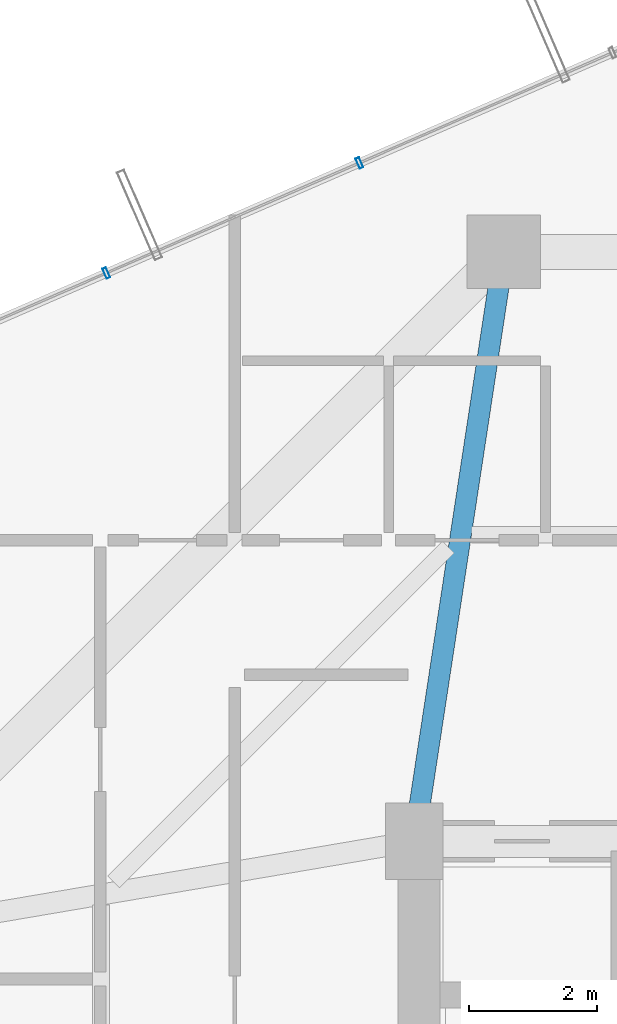
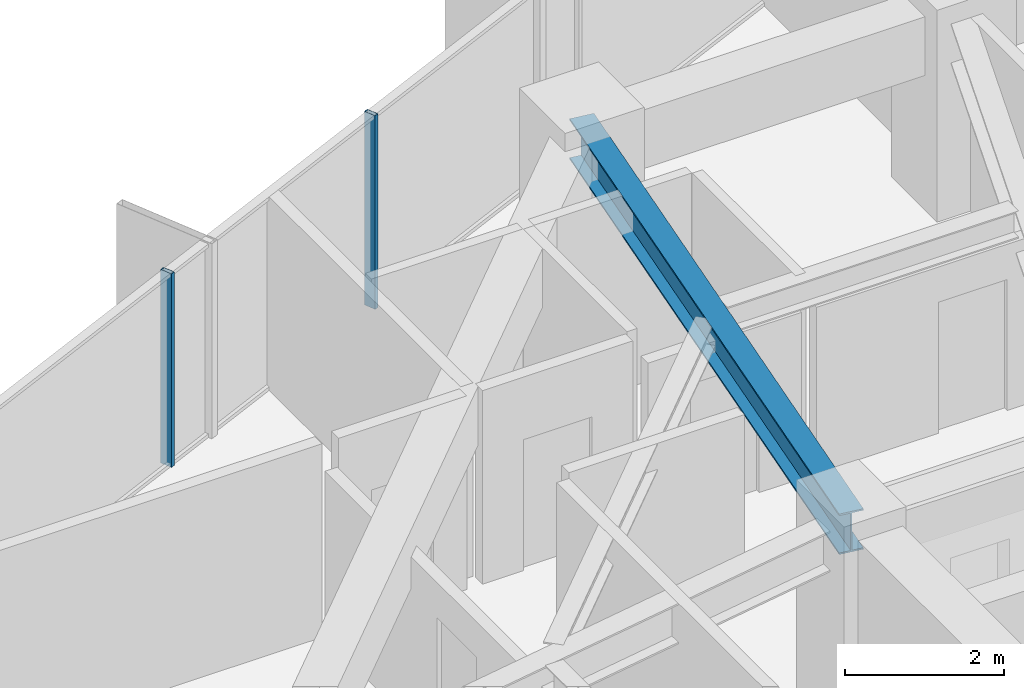
# One storey, part 18 of 29: 2 members, 1 beam, 1 element without a shape of its own.
"""IFC4 building model written with IfcOpenShell, lengths in metres."""

from ifc_helpers import new_model, si_unit, direction, frame, origin, origin_2d, place, context, subcontext, project, spatial, hollow_rectangle, i_section, extrude, source, transform, mapped, material, layer, layer_set, material_profile, profile_set, type_object, element, aggregate, save


model = new_model("IFC4")

# Units and contexts
model_context = context("Model", 3, precision=1e-05, world=origin(), true_north=direction((0.0, 1.0)))
body_context = subcontext(model_context, "Body", "Model", "MODEL_VIEW")
ifc_project = project(units=[si_unit("LENGTHUNIT", "METRE"), si_unit("AREAUNIT", "SQUARE_METRE"), si_unit("VOLUMEUNIT", "CUBIC_METRE"), si_unit("PLANEANGLEUNIT", "RADIAN"), si_unit("MASSUNIT", "GRAM", prefix="KILO")], contexts=[model_context])

# Site, building, storey
site_placement = place(None, origin())
site = spatial("IfcSite", under=ifc_project, at=site_placement, CompositionType="ELEMENT")
building_placement = place(site_placement, origin())
building = spatial("IfcBuilding", under=site, at=building_placement, Name="Veraguas Prism Commons", CompositionType="ELEMENT")
storey_placement = place(building_placement, frame((0.0, 0.0, 105.699951171875)))
storey = spatial("IfcBuildingStorey", under=building, at=storey_placement, Name="L29", CompositionType="ELEMENT", Elevation=105.699951171875)

# Beam
ifc_material_1 = material(Name="Steel ASTM A992 Grade 50", Category="steel")
ifc_material_profile_1 = material_profile(ifc_material_1, i_section(OverallWidth=0.327880859375, OverallDepth=0.6220703125, WebThickness=0.015380859375, FlangeThickness=0.0244140625, at=origin_2d()), Name="W610X195")
ifc_profile_set_1 = profile_set([ifc_material_profile_1], Name="Steel ASTM A992 Grade 50")
beam_type = type_object("IfcBeamType", Name="Zone 2 Radial Girder W610x195", PredefinedType="BEAM", material=ifc_profile_set_1)
beam_placement = place(storey_placement, frame((18.60009765625, 40.199951171875, 2.658935546875), z_axis=(-0.150458162136, -0.98861637729, 0.0), x_axis=(0.98861637729, -0.150458162136, 0.0)))
element("IfcBeam", 1, at=beam_placement, inside=storey, type_object=beam_type, Name="Radial Floor Girder L29-RD06", PredefinedType="BEAM", context=body_context, shape_type="SweptSolid", body=[
    extrude(i_section(OverallWidth=0.327880859375, OverallDepth=0.6220703125, WebThickness=0.015380859375, FlangeThickness=0.0244140625, at=origin_2d()), origin(), (0.0, 0.0, 1.0), 9.305908203125),
])

# Curtain wall, members
ifc_material_2 = material(Name="Anodised aluminium EN AW-6063 T6", Category="aluminium")
ifc_layer = layer(ifc_material_2, 0.169921875, Name="Unitised Flush Curtain Wall Zone 2", Category="aluminium")
ifc_layer_set = layer_set([ifc_layer], Name="Anodised aluminium EN AW-6063 T6")
curtain_wall_type = type_object("IfcCurtainWallType", Name="Unitised Flush Curtain Wall Zone 2", PredefinedType="NOTDEFINED", material=ifc_layer_set)
curtain_wall_placement = place(storey_placement, origin())
curtain_wall = element("IfcCurtainWall", 2, at=curtain_wall_placement, inside=storey, type_object=curtain_wall_type, Name="Tower Facade Curtain Wall L29-F2", PredefinedType="NOTDEFINED")
ifc_material_profile_2 = material_profile(ifc_material_2, hollow_rectangle(XDim=0.06005859375, YDim=0.169921875, WallThickness=0.00390625, at=origin_2d()), Name="AL60X170X4")
ifc_profile_set_2 = profile_set([ifc_material_profile_2], Name="Anodised aluminium EN AW-6063 T6")
member_type = type_object("IfcMemberType", Name="Curtain Wall Mullion Lower AL 60x170x4", PredefinedType="MULLION", material=ifc_profile_set_2)
shared_shape = source(origin(), body_context, "Body", "SweptSolid", [
    extrude(hollow_rectangle(XDim=0.06005859375, YDim=0.169921875, WallThickness=0.00390625, at=origin_2d()), origin(), (0.0, 0.0, 1.0), 2.969970703125),
])
member_1_placement = place(storey_placement, frame((16.344970703125, 41.5888671875, 0.0), z_axis=(0.0, 0.0, 1.0), x_axis=(-0.916919435815, -0.399072359635, 0.0)))
member_1 = element("IfcMember", 3, at=member_1_placement, type_object=member_type, Name="CW-Z2 Mullion 3", PredefinedType="MULLION", context=body_context, shape_type="MappedRepresentation", body=[
    mapped(shared_shape, transform((0.0, 0.0, 0.0), scale=1.0)),
])
member_2_placement = place(storey_placement, frame((12.394287109375, 39.869384765625, 0.0), z_axis=(0.0, 0.0, 1.0), x_axis=(-0.916919435815, -0.399072359635, 0.0)))
member_2 = element("IfcMember", 4, at=member_2_placement, type_object=member_type, Name="CW-Z2 Mullion 4", PredefinedType="MULLION", context=body_context, shape_type="MappedRepresentation", body=[
    mapped(shared_shape, transform((0.0, 0.0, 0.0), scale=1.0)),
])
aggregate(curtain_wall, [member_1, member_2])

save(model, "model.ifc")
